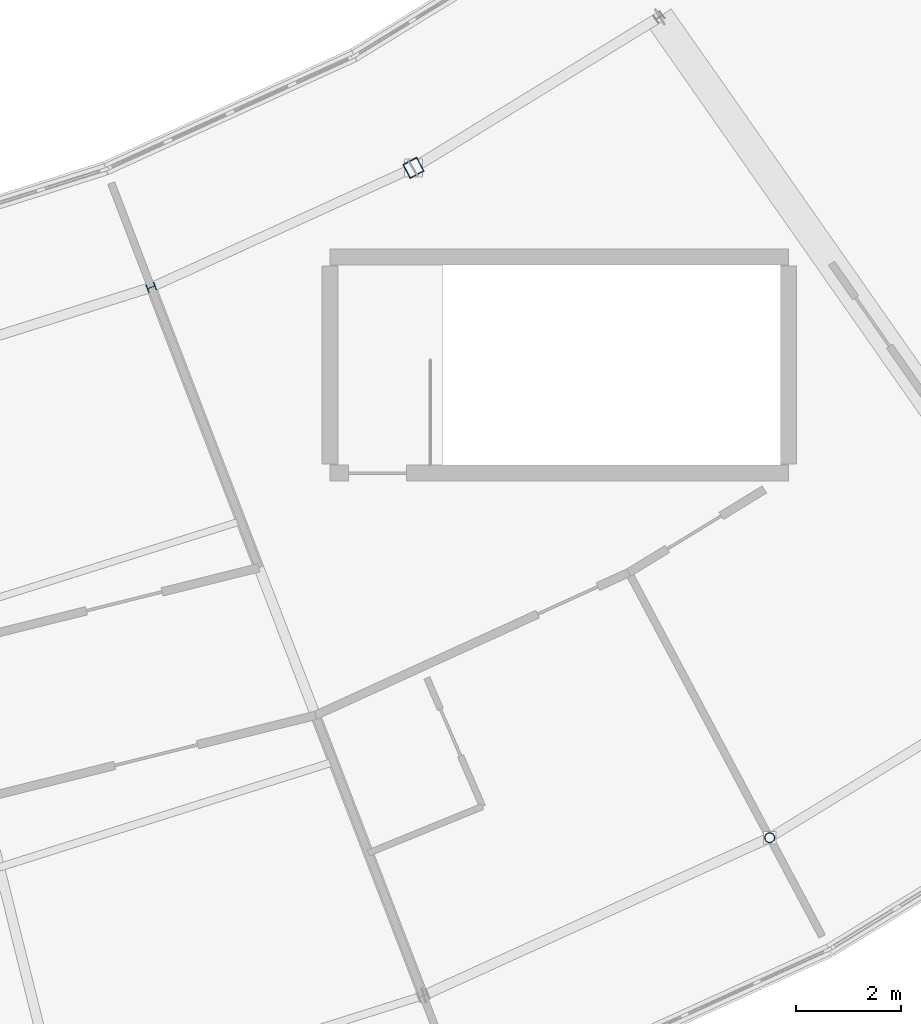
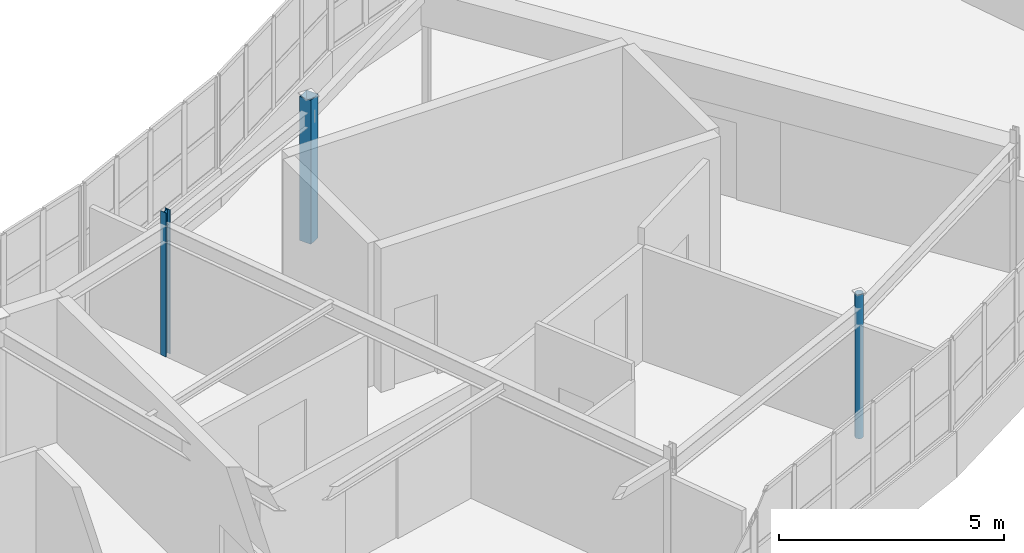
# One storey, part 6 of 79: 3 columns.
"""IFC4 building model written with IfcOpenShell, lengths in metres."""

from ifc_helpers import new_model, si_unit, direction, frame, origin, origin_2d, place, context, subcontext, project, spatial, hollow_rectangle, hollow_circle, i_section, extrude, material, material_profile, profile_set, type_object, element, save


model = new_model("IFC4")

# Units and contexts
model_context = context("Model", 3, precision=1e-05, world=origin(), true_north=direction((0.0, 1.0)))
body_context = subcontext(model_context, "Body", "Model", "MODEL_VIEW")
ifc_project = project(units=[si_unit("LENGTHUNIT", "METRE"), si_unit("AREAUNIT", "SQUARE_METRE"), si_unit("VOLUMEUNIT", "CUBIC_METRE"), si_unit("PLANEANGLEUNIT", "RADIAN"), si_unit("MASSUNIT", "GRAM", prefix="KILO")], contexts=[model_context])

# Site, building, storey
site_placement = place(None, origin())
site = spatial("IfcSite", under=ifc_project, at=site_placement, CompositionType="ELEMENT")
building_placement = place(site_placement, origin())
building = spatial("IfcBuilding", under=site, at=building_placement, Name="Tarnwether General Hospital", CompositionType="ELEMENT")
storey_placement = place(building_placement, frame((0.0, 0.0, 18.300048828125)))
storey = spatial("IfcBuildingStorey", under=building, at=storey_placement, Name="L04", CompositionType="ELEMENT", Elevation=18.300048828125)

# Columns
ifc_material_1 = material(Name="Steel Grade 350 (350 MPa)", Category="steel")
ifc_material_profile_1 = material_profile(ifc_material_1, i_section(OverallWidth=0.154052734375, OverallDepth=0.162109375, WebThickness=0.008056640625, FlangeThickness=0.011474609375, at=origin_2d()), Name="150UC37.2")
ifc_profile_set_1 = profile_set([ifc_material_profile_1], Name="Steel Grade 350 (350 MPa)")
column_type_1 = type_object("IfcColumnType", Name="COL-28", PredefinedType="COLUMN", material=ifc_profile_set_1)
column_1_placement = place(storey_placement, frame((108.054931640625, 21.176025390625, 0.0), z_axis=(0.0, 0.0, 1.0), x_axis=(-0.358367949545, 0.933580426497, 0.0)))
element("IfcColumn", 1, at=column_1_placement, inside=storey, type_object=column_type_1, Name="Column COLG-L04-10806_2118", PredefinedType="COLUMN", context=body_context, shape_type="SweptSolid", body=[
    extrude(i_section(OverallWidth=0.154052734375, OverallDepth=0.162109375, WebThickness=0.008056640625, FlangeThickness=0.011474609375, at=origin_2d()), origin(), (0.0, 0.0, 1.0), 3.89990234375),
])
ifc_material_2 = material(Name="Steel Grade C350L0 (350 MPa)", Category="steel")
ifc_material_profile_2 = material_profile(ifc_material_2, hollow_circle(Radius=0.096923828125, WallThickness=0.008056640625, at=origin_2d()), Name="CHS193.7x8.0")
ifc_profile_set_2 = profile_set([ifc_material_profile_2], Name="Steel Grade C350L0 (350 MPa)")
column_type_2 = type_object("IfcColumnType", Name="COL-29", PredefinedType="COLUMN", material=ifc_profile_set_2)
column_2_placement = place(storey_placement, frame((119.79296875, 10.72998046875, 0.0), z_axis=(0.0, 0.0, 1.0), x_axis=(-0.469471562786, 0.882947592859, 0.0)))
element("IfcColumn", 2, at=column_2_placement, inside=storey, type_object=column_type_2, Name="Column COLG-L04-11979_1073", PredefinedType="COLUMN", context=body_context, shape_type="SweptSolid", body=[
    extrude(hollow_circle(Radius=0.096923828125, WallThickness=0.008056640625, at=origin_2d()), origin(), (0.0, 0.0, 1.0), 3.89990234375),
])
ifc_material_3 = material(Name="Steel Grade C350L0 (350 MPa)", Category="steel")
ifc_material_profile_3 = material_profile(ifc_material_3, hollow_rectangle(XDim=0.300048828125, YDim=0.300048828125, WallThickness=0.012451171875, at=origin_2d()), Name="SHS300x300x12.5")
ifc_profile_set_3 = profile_set([ifc_material_profile_3], Name="Steel Grade C350L0 (350 MPa)")
column_type_3 = type_object("IfcColumnType", Name="COL-30", PredefinedType="COLUMN", material=ifc_profile_set_3)
column_3_placement = place(storey_placement, frame((113.031982421875, 23.444091796875, 0.0), z_axis=(0.0, 0.0, 1.0), x_axis=(-0.469471562786, 0.882947592859, 0.0)))
element("IfcColumn", 3, at=column_3_placement, inside=storey, type_object=column_type_3, Name="Column COLG-L04-11303_2344", PredefinedType="COLUMN", context=body_context, shape_type="SweptSolid", body=[
    extrude(hollow_rectangle(XDim=0.300048828125, YDim=0.300048828125, WallThickness=0.012451171875, at=origin_2d()), origin(), (0.0, 0.0, 1.0), 3.89990234375),
])

save(model, "model.ifc")
